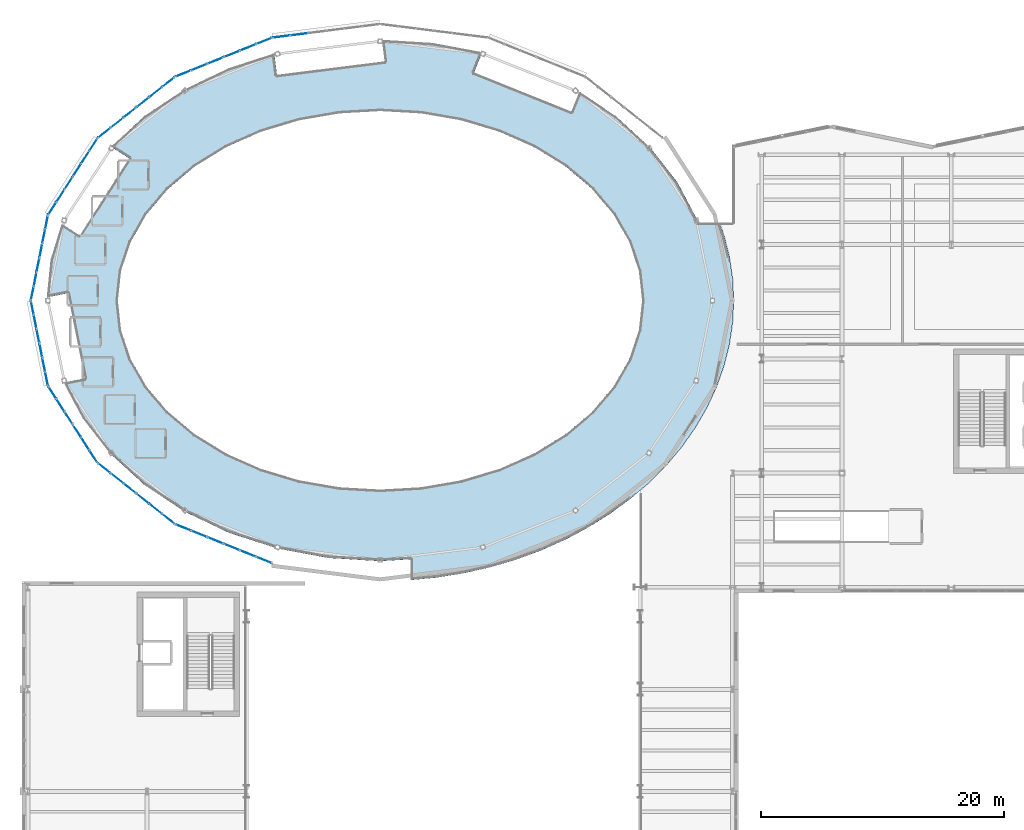
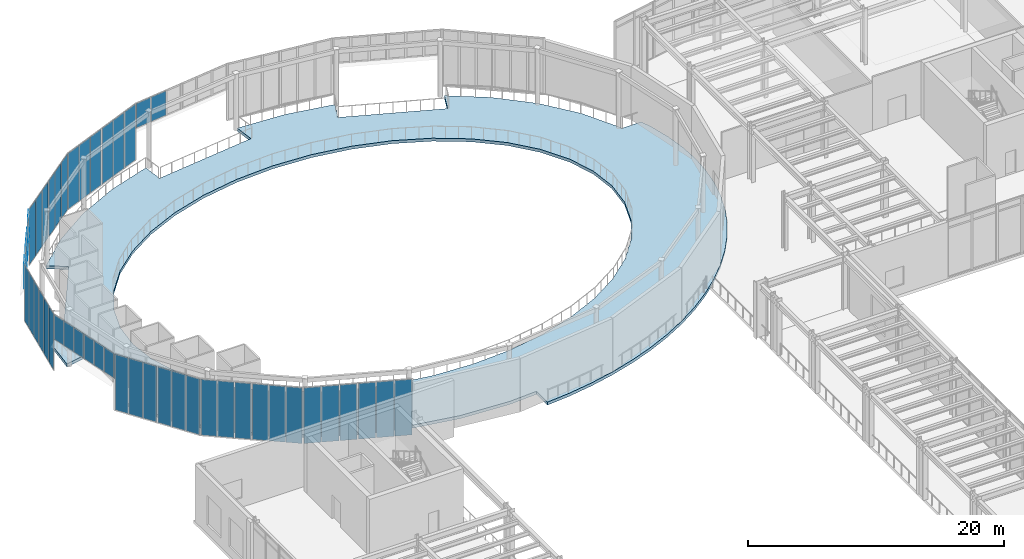
# One storey, part 69 of 98: 50 plates, 1 slab, 17 elements without a shape of their own.
"""IFC4 building model written with IfcOpenShell, lengths in metres."""

from ifc_helpers import new_model, si_unit, direction, frame, origin, origin_2d, place, context, subcontext, project, spatial, polyline, rectangle, outline, extrude, material, layer, layer_set, type_object, element, aggregate, save


model = new_model("IFC4")

# Units and contexts
model_context = context("Model", 3, precision=1e-05, world=origin(), true_north=direction((0.0, 1.0)))
body_context = subcontext(model_context, "Body", "Model", "MODEL_VIEW")
ifc_project = project(units=[si_unit("LENGTHUNIT", "METRE"), si_unit("AREAUNIT", "SQUARE_METRE"), si_unit("VOLUMEUNIT", "CUBIC_METRE"), si_unit("PLANEANGLEUNIT", "RADIAN"), si_unit("MASSUNIT", "GRAM", prefix="KILO")], contexts=[model_context])

# Site, building, storey
site_placement = place(None, origin())
site = spatial("IfcSite", under=ifc_project, at=site_placement, CompositionType="ELEMENT")
building_placement = place(site_placement, origin())
building = spatial("IfcBuilding", under=site, at=building_placement, Name="Sollismere Congress Hotel", CompositionType="ELEMENT")
storey_placement = place(building_placement, frame((0.0, 0.0, 5.39990234375)))
storey = spatial("IfcBuildingStorey", under=building, at=storey_placement, Name="L01", CompositionType="ELEMENT", Elevation=5.39990234375)

# Curtain wall, plates
ifc_material_1 = material(Name="Anodized Bronze Curtain Wall & Low-E Triple Glazing", Category="glass")
ifc_layer_1 = layer(ifc_material_1, 0.199951171875, Name="Anodized Bronze Curtain Wall & Low-E Triple Glazing")
ifc_layer_set_1 = layer_set([ifc_layer_1], Name="Anodized Bronze Curtain Wall & Low-E Triple Glazing")
curtain_wall_type = type_object("IfcCurtainWallType", Name="CW-GLZ36", PredefinedType="USERDEFINED", material=ifc_layer_set_1)
curtain_wall_1_placement = place(storey_placement, origin())
curtain_wall_1 = element("IfcCurtainWall", 1, at=curtain_wall_1_placement, inside=storey, type_object=curtain_wall_type, Name="Unitised curtain wall CW-L01-018", ObjectType="UNITISED CURTAIN WALL", PredefinedType="USERDEFINED")
ifc_material_2 = material(Name="Blue-Tinted Solar-Control Low-E Vision Glass", Category="glass")
ifc_layer_2 = layer(ifc_material_2, 0.035888671875, Name="Blue-Tinted Solar-Control Low-E Vision Glass")
ifc_layer_set_2 = layer_set([ifc_layer_2], Name="Blue-Tinted Solar-Control Low-E Vision Glass")
plate_type = type_object("IfcPlateType", Name="PL-CWGLZ", PredefinedType="CURTAIN_PANEL", material=ifc_layer_set_2)
plate_1_placement = place(storey_placement, frame((22.3369140625, 112.31494140625, 3.04296875), z_axis=(0.0, 0.0, 1.0), x_axis=(-0.992236726166, -0.124363496441, 0.0)))
plate_1 = element("IfcPlate", 2, at=plate_1_placement, type_object=plate_type, Name="CWL-CW-L01-018-VP02", PredefinedType="CURTAIN_PANEL", context=body_context, shape_type="SweptSolid", body=[
    extrude(rectangle(XDim=1.44140625, YDim=0.035888671875, at=origin_2d()), origin(), (0.0, 0.0, 1.0), 2.323974609375),
])
plate_2_placement = place(storey_placement, frame((20.875, 112.131591796875, 3.04296875), z_axis=(0.0, 0.0, 1.0), x_axis=(-0.992236726166, -0.124363496441, 0.0)))
plate_2 = element("IfcPlate", 3, at=plate_2_placement, type_object=plate_type, Name="CWL-CW-L01-018-VP03", PredefinedType="CURTAIN_PANEL", context=body_context, shape_type="SweptSolid", body=[
    extrude(rectangle(XDim=1.4033203125, YDim=0.035888671875, at=origin_2d()), origin(), (0.0, 0.0, 1.0), 2.323974609375),
])
aggregate(curtain_wall_1, [plate_1, plate_2])

curtain_wall_2_placement = place(storey_placement, origin())
curtain_wall_2 = element("IfcCurtainWall", 4, at=curtain_wall_2_placement, inside=storey, type_object=curtain_wall_type, Name="Unitised curtain wall CW-L01-023", ObjectType="UNITISED CURTAIN WALL", PredefinedType="USERDEFINED")
plate_3_placement = place(storey_placement, frame((19.430419921875, 111.760009765625, 0.05322265625), z_axis=(0.0, 0.0, 1.0), x_axis=(-0.927451680013, -0.373943018709, 0.0)))
plate_3 = element("IfcPlate", 5, at=plate_3_placement, type_object=plate_type, Name="CWL-CW-L01-023-VP01", PredefinedType="CURTAIN_PANEL", context=body_context, shape_type="SweptSolid", body=[
    extrude(rectangle(XDim=1.351318359375, YDim=0.035888671875, at=origin_2d()), origin(), (0.0, 0.0, 1.0), 5.31396484375),
])
plate_4_placement = place(storey_placement, frame((18.112060546875, 111.228759765625, 0.05322265625), z_axis=(0.0, 0.0, 1.0), x_axis=(-0.927451680013, -0.373943018709, 0.0)))
plate_4 = element("IfcPlate", 6, at=plate_4_placement, type_object=plate_type, Name="CWL-CW-L01-023-VP02", PredefinedType="CURTAIN_PANEL", context=body_context, shape_type="SweptSolid", body=[
    extrude(rectangle(XDim=1.389404296875, YDim=0.035888671875, at=origin_2d()), origin(), (0.0, 0.0, 1.0), 5.31396484375),
])
plate_5_placement = place(storey_placement, frame((16.7939453125, 110.697265625, 0.05322265625), z_axis=(0.0, 0.0, 1.0), x_axis=(-0.927451680013, -0.373943018709, 0.0)))
plate_5 = element("IfcPlate", 7, at=plate_5_placement, type_object=plate_type, Name="CWL-CW-L01-023-VP03", PredefinedType="CURTAIN_PANEL", context=body_context, shape_type="SweptSolid", body=[
    extrude(rectangle(XDim=1.351318359375, YDim=0.035888671875, at=origin_2d()), origin(), (0.0, 0.0, 1.0), 5.31396484375),
])
aggregate(curtain_wall_2, [plate_3, plate_4, plate_5])

curtain_wall_3_placement = place(storey_placement, origin())
curtain_wall_3 = element("IfcCurtainWall", 8, at=curtain_wall_3_placement, inside=storey, type_object=curtain_wall_type, Name="Unitised curtain wall CW-L01-024", ObjectType="UNITISED CURTAIN WALL", PredefinedType="USERDEFINED")
plate_6_placement = place(storey_placement, frame((15.423095703125, 110.144287109375, 0.05322265625), z_axis=(0.0, 0.0, 1.0), x_axis=(-0.927451680013, -0.373943018709, 0.0)))
plate_6 = element("IfcPlate", 9, at=plate_6_placement, type_object=plate_type, Name="CWL-CW-L01-024-VP01", PredefinedType="CURTAIN_PANEL", context=body_context, shape_type="SweptSolid", body=[
    extrude(rectangle(XDim=1.351318359375, YDim=0.035888671875, at=origin_2d()), origin(), (0.0, 0.0, 1.0), 5.31396484375),
])
plate_7_placement = place(storey_placement, frame((14.104736328125, 109.61279296875, 0.05322265625), z_axis=(0.0, 0.0, 1.0), x_axis=(-0.927451680013, -0.373943018709, 0.0)))
plate_7 = element("IfcPlate", 10, at=plate_7_placement, type_object=plate_type, Name="CWL-CW-L01-024-VP02", PredefinedType="CURTAIN_PANEL", context=body_context, shape_type="SweptSolid", body=[
    extrude(rectangle(XDim=1.389404296875, YDim=0.035888671875, at=origin_2d()), origin(), (0.0, 0.0, 1.0), 5.31396484375),
])
plate_8_placement = place(storey_placement, frame((12.78662109375, 109.08154296875, 0.05322265625), z_axis=(0.0, 0.0, 1.0), x_axis=(-0.927451680013, -0.373943018709, 0.0)))
plate_8 = element("IfcPlate", 11, at=plate_8_placement, type_object=plate_type, Name="CWL-CW-L01-024-VP03", PredefinedType="CURTAIN_PANEL", context=body_context, shape_type="SweptSolid", body=[
    extrude(rectangle(XDim=1.351318359375, YDim=0.035888671875, at=origin_2d()), origin(), (0.0, 0.0, 1.0), 5.31396484375),
])
aggregate(curtain_wall_3, [plate_6, plate_7, plate_8])

curtain_wall_4_placement = place(storey_placement, origin())
curtain_wall_4 = element("IfcCurtainWall", 12, at=curtain_wall_4_placement, inside=storey, type_object=curtain_wall_type, Name="Unitised curtain wall CW-L01-029", ObjectType="UNITISED CURTAIN WALL", PredefinedType="USERDEFINED")
plate_9_placement = place(storey_placement, frame((11.556396484375, 108.373779296875, 0.05322265625), z_axis=(0.0, 0.0, 1.0), x_axis=(-0.784181063891, -0.620532077362, 0.0)))
plate_9 = element("IfcPlate", 13, at=plate_9_placement, type_object=plate_type, Name="CWL-CW-L01-029-VP01", PredefinedType="CURTAIN_PANEL", context=body_context, shape_type="SweptSolid", body=[
    extrude(rectangle(XDim=1.2626953125, YDim=0.035888671875, at=origin_2d()), origin(), (0.0, 0.0, 1.0), 5.31396484375),
])
plate_10_placement = place(storey_placement, frame((10.510986328125, 107.546875, 0.05322265625), z_axis=(0.0, 0.0, 1.0), x_axis=(-0.784181063891, -0.620532077362, 0.0)))
plate_10 = element("IfcPlate", 14, at=plate_10_placement, type_object=plate_type, Name="CWL-CW-L01-029-VP02", PredefinedType="CURTAIN_PANEL", context=body_context, shape_type="SweptSolid", body=[
    extrude(rectangle(XDim=1.30078125, YDim=0.035888671875, at=origin_2d()), origin(), (0.0, 0.0, 1.0), 5.31396484375),
])
plate_11_placement = place(storey_placement, frame((9.4658203125, 106.7197265625, 0.05322265625), z_axis=(0.0, 0.0, 1.0), x_axis=(-0.784181063891, -0.620532077362, 0.0)))
plate_11 = element("IfcPlate", 15, at=plate_11_placement, type_object=plate_type, Name="CWL-CW-L01-029-VP03", PredefinedType="CURTAIN_PANEL", context=body_context, shape_type="SweptSolid", body=[
    extrude(rectangle(XDim=1.2626953125, YDim=0.035888671875, at=origin_2d()), origin(), (0.0, 0.0, 1.0), 5.31396484375),
])
aggregate(curtain_wall_4, [plate_9, plate_10, plate_11])

curtain_wall_5_placement = place(storey_placement, origin())
curtain_wall_5 = element("IfcCurtainWall", 16, at=curtain_wall_5_placement, inside=storey, type_object=curtain_wall_type, Name="Unitised curtain wall CW-L01-030", ObjectType="UNITISED CURTAIN WALL", PredefinedType="USERDEFINED")
plate_12_placement = place(storey_placement, frame((8.376220703125, 105.857421875, 0.05322265625), z_axis=(0.0, 0.0, 1.0), x_axis=(-0.784181063891, -0.620532077362, 0.0)))
plate_12 = element("IfcPlate", 17, at=plate_12_placement, type_object=plate_type, Name="CWL-CW-L01-030-VP01", PredefinedType="CURTAIN_PANEL", context=body_context, shape_type="SweptSolid", body=[
    extrude(rectangle(XDim=1.2626953125, YDim=0.035888671875, at=origin_2d()), origin(), (0.0, 0.0, 1.0), 5.31396484375),
])
plate_13_placement = place(storey_placement, frame((7.330810546875, 105.0302734375, 0.05322265625), z_axis=(0.0, 0.0, 1.0), x_axis=(-0.784181063891, -0.620532077362, 0.0)))
plate_13 = element("IfcPlate", 18, at=plate_13_placement, type_object=plate_type, Name="CWL-CW-L01-030-VP02", PredefinedType="CURTAIN_PANEL", context=body_context, shape_type="SweptSolid", body=[
    extrude(rectangle(XDim=1.30078125, YDim=0.035888671875, at=origin_2d()), origin(), (0.0, 0.0, 1.0), 5.31396484375),
])
plate_14_placement = place(storey_placement, frame((6.28564453125, 104.203369140625, 0.05322265625), z_axis=(0.0, 0.0, 1.0), x_axis=(-0.784181063891, -0.620532077362, 0.0)))
plate_14 = element("IfcPlate", 19, at=plate_14_placement, type_object=plate_type, Name="CWL-CW-L01-030-VP03", PredefinedType="CURTAIN_PANEL", context=body_context, shape_type="SweptSolid", body=[
    extrude(rectangle(XDim=1.2626953125, YDim=0.035888671875, at=origin_2d()), origin(), (0.0, 0.0, 1.0), 5.31396484375),
])
aggregate(curtain_wall_5, [plate_12, plate_13, plate_14])

curtain_wall_6_placement = place(storey_placement, origin())
curtain_wall_6 = element("IfcCurtainWall", 20, at=curtain_wall_6_placement, inside=storey, type_object=curtain_wall_type, Name="Unitised curtain wall CW-L01-033", ObjectType="UNITISED CURTAIN WALL", PredefinedType="USERDEFINED")
plate_15_placement = place(storey_placement, frame((5.39013671875, 103.2275390625, 3.04296875), z_axis=(0.0, 0.0, 1.0), x_axis=(-0.541385415951, -0.840774542547, 0.0)))
plate_15 = element("IfcPlate", 21, at=plate_15_placement, type_object=plate_type, Name="CWL-CW-L01-033-VP01", PredefinedType="CURTAIN_PANEL", context=body_context, shape_type="SweptSolid", body=[
    extrude(rectangle(XDim=1.168212890625, YDim=0.035888671875, at=origin_2d()), origin(), (0.0, 0.0, 1.0), 2.323974609375),
])
plate_16_placement = place(storey_placement, frame((4.719970703125, 102.1865234375, 3.04296875), z_axis=(0.0, 0.0, 1.0), x_axis=(-0.541385415951, -0.840774542547, 0.0)))
plate_16 = element("IfcPlate", 22, at=plate_16_placement, type_object=plate_type, Name="CWL-CW-L01-033-VP02", PredefinedType="CURTAIN_PANEL", context=body_context, shape_type="SweptSolid", body=[
    extrude(rectangle(XDim=1.206298828125, YDim=0.035888671875, at=origin_2d()), origin(), (0.0, 0.0, 1.0), 2.323974609375),
])
plate_17_placement = place(storey_placement, frame((4.049560546875, 101.1455078125, 3.04296875), z_axis=(0.0, 0.0, 1.0), x_axis=(-0.541385415951, -0.840774542547, 0.0)))
plate_17 = element("IfcPlate", 23, at=plate_17_placement, type_object=plate_type, Name="CWL-CW-L01-033-VP03", PredefinedType="CURTAIN_PANEL", context=body_context, shape_type="SweptSolid", body=[
    extrude(rectangle(XDim=1.168212890625, YDim=0.035888671875, at=origin_2d()), origin(), (0.0, 0.0, 1.0), 2.323974609375),
])
aggregate(curtain_wall_6, [plate_15, plate_16, plate_17])

curtain_wall_7_placement = place(storey_placement, origin())
curtain_wall_7 = element("IfcCurtainWall", 24, at=curtain_wall_7_placement, inside=storey, type_object=curtain_wall_type, Name="Unitised curtain wall CW-L01-034", ObjectType="UNITISED CURTAIN WALL", PredefinedType="USERDEFINED")
plate_18_placement = place(storey_placement, frame((3.348388671875, 100.056640625, 3.04296875), z_axis=(0.0, 0.0, 1.0), x_axis=(-0.541385415951, -0.840774542547, 0.0)))
plate_18 = element("IfcPlate", 25, at=plate_18_placement, type_object=plate_type, Name="CWL-CW-L01-034-VP01", PredefinedType="CURTAIN_PANEL", context=body_context, shape_type="SweptSolid", body=[
    extrude(rectangle(XDim=1.168212890625, YDim=0.035888671875, at=origin_2d()), origin(), (0.0, 0.0, 1.0), 2.323974609375),
])
plate_19_placement = place(storey_placement, frame((2.677978515625, 99.015625, 3.04296875), z_axis=(0.0, 0.0, 1.0), x_axis=(-0.541385415951, -0.840774542547, 0.0)))
plate_19 = element("IfcPlate", 26, at=plate_19_placement, type_object=plate_type, Name="CWL-CW-L01-034-VP02", PredefinedType="CURTAIN_PANEL", context=body_context, shape_type="SweptSolid", body=[
    extrude(rectangle(XDim=1.206298828125, YDim=0.035888671875, at=origin_2d()), origin(), (0.0, 0.0, 1.0), 2.323974609375),
])
plate_20_placement = place(storey_placement, frame((2.0078125, 97.974609375, 3.04296875), z_axis=(0.0, 0.0, 1.0), x_axis=(-0.541385415951, -0.840774542547, 0.0)))
plate_20 = element("IfcPlate", 27, at=plate_20_placement, type_object=plate_type, Name="CWL-CW-L01-034-VP03", PredefinedType="CURTAIN_PANEL", context=body_context, shape_type="SweptSolid", body=[
    extrude(rectangle(XDim=1.168212890625, YDim=0.035888671875, at=origin_2d()), origin(), (0.0, 0.0, 1.0), 2.323974609375),
])
aggregate(curtain_wall_7, [plate_18, plate_19, plate_20])

curtain_wall_8_placement = place(storey_placement, origin())
curtain_wall_8 = element("IfcCurtainWall", 28, at=curtain_wall_8_placement, inside=storey, type_object=curtain_wall_type, Name="Unitised curtain wall CW-L01-039", ObjectType="UNITISED CURTAIN WALL", PredefinedType="USERDEFINED")
plate_21_placement = place(storey_placement, frame((1.5361328125, 96.82568359375, 0.05322265625), z_axis=(0.0, 0.0, 1.0), x_axis=(-0.196254203749, -0.98055305186, 0.0)))
plate_21 = element("IfcPlate", 29, at=plate_21_placement, type_object=plate_type, Name="CWL-CW-L01-039-VP01", PredefinedType="CURTAIN_PANEL", context=body_context, shape_type="SweptSolid", body=[
    extrude(rectangle(XDim=1.10595703125, YDim=0.035888671875, at=origin_2d()), origin(), (0.0, 0.0, 1.0), 5.31396484375),
])
plate_22_placement = place(storey_placement, frame((1.305419921875, 95.672607421875, 0.05322265625), z_axis=(0.0, 0.0, 1.0), x_axis=(-0.196254203749, -0.98055305186, 0.0)))
plate_22 = element("IfcPlate", 30, at=plate_22_placement, type_object=plate_type, Name="CWL-CW-L01-039-VP02", PredefinedType="CURTAIN_PANEL", context=body_context, shape_type="SweptSolid", body=[
    extrude(rectangle(XDim=1.143798828125, YDim=0.035888671875, at=origin_2d()), origin(), (0.0, 0.0, 1.0), 5.31396484375),
])
plate_23_placement = place(storey_placement, frame((1.074462890625, 94.51953125, 0.05322265625), z_axis=(0.0, 0.0, 1.0), x_axis=(-0.196254203749, -0.98055305186, 0.0)))
plate_23 = element("IfcPlate", 31, at=plate_23_placement, type_object=plate_type, Name="CWL-CW-L01-039-VP03", PredefinedType="CURTAIN_PANEL", context=body_context, shape_type="SweptSolid", body=[
    extrude(rectangle(XDim=1.10595703125, YDim=0.035888671875, at=origin_2d()), origin(), (0.0, 0.0, 1.0), 5.31396484375),
])
aggregate(curtain_wall_8, [plate_21, plate_22, plate_23])

curtain_wall_9_placement = place(storey_placement, origin())
curtain_wall_9 = element("IfcCurtainWall", 32, at=curtain_wall_9_placement, inside=storey, type_object=curtain_wall_type, Name="Unitised curtain wall CW-L01-040", ObjectType="UNITISED CURTAIN WALL", PredefinedType="USERDEFINED")
plate_24_placement = place(storey_placement, frame((0.83251953125, 93.310546875, 0.05322265625), z_axis=(0.0, 0.0, 1.0), x_axis=(-0.196254203749, -0.98055305186, 0.0)))
plate_24 = element("IfcPlate", 33, at=plate_24_placement, type_object=plate_type, Name="CWL-CW-L01-040-VP01", PredefinedType="CURTAIN_PANEL", context=body_context, shape_type="SweptSolid", body=[
    extrude(rectangle(XDim=1.10595703125, YDim=0.035888671875, at=origin_2d()), origin(), (0.0, 0.0, 1.0), 5.31396484375),
])
plate_25_placement = place(storey_placement, frame((0.601806640625, 92.157470703125, 0.05322265625), z_axis=(0.0, 0.0, 1.0), x_axis=(-0.196254203749, -0.98055305186, 0.0)))
plate_25 = element("IfcPlate", 34, at=plate_25_placement, type_object=plate_type, Name="CWL-CW-L01-040-VP02", PredefinedType="CURTAIN_PANEL", context=body_context, shape_type="SweptSolid", body=[
    extrude(rectangle(XDim=1.143798828125, YDim=0.035888671875, at=origin_2d()), origin(), (0.0, 0.0, 1.0), 5.31396484375),
])
plate_26_placement = place(storey_placement, frame((0.37109375, 91.00439453125, 0.05322265625), z_axis=(0.0, 0.0, 1.0), x_axis=(-0.196254203749, -0.98055305186, 0.0)))
plate_26 = element("IfcPlate", 35, at=plate_26_placement, type_object=plate_type, Name="CWL-CW-L01-040-VP03", PredefinedType="CURTAIN_PANEL", context=body_context, shape_type="SweptSolid", body=[
    extrude(rectangle(XDim=1.10595703125, YDim=0.035888671875, at=origin_2d()), origin(), (0.0, 0.0, 1.0), 5.31396484375),
])
aggregate(curtain_wall_9, [plate_24, plate_25, plate_26])

curtain_wall_10_placement = place(storey_placement, origin())
curtain_wall_10 = element("IfcCurtainWall", 36, at=curtain_wall_10_placement, inside=storey, type_object=curtain_wall_type, Name="Unitised curtain wall CW-L01-043", ObjectType="UNITISED CURTAIN WALL", PredefinedType="USERDEFINED")
plate_27_placement = place(storey_placement, frame((0.37109375, 89.79541015625, 3.04296875), z_axis=(0.0, 0.0, 1.0), x_axis=(0.196254203749, -0.98055305186, 0.0)))
plate_27 = element("IfcPlate", 37, at=plate_27_placement, type_object=plate_type, Name="CWL-CW-L01-043-VP01", PredefinedType="CURTAIN_PANEL", context=body_context, shape_type="SweptSolid", body=[
    extrude(rectangle(XDim=1.10595703125, YDim=0.035888671875, at=origin_2d()), origin(), (0.0, 0.0, 1.0), 2.323974609375),
])
plate_28_placement = place(storey_placement, frame((0.601806640625, 88.642578125, 3.04296875), z_axis=(0.0, 0.0, 1.0), x_axis=(0.196254203749, -0.98055305186, 0.0)))
plate_28 = element("IfcPlate", 38, at=plate_28_placement, type_object=plate_type, Name="CWL-CW-L01-043-VP02", PredefinedType="CURTAIN_PANEL", context=body_context, shape_type="SweptSolid", body=[
    extrude(rectangle(XDim=1.143798828125, YDim=0.035888671875, at=origin_2d()), origin(), (0.0, 0.0, 1.0), 2.323974609375),
])
plate_29_placement = place(storey_placement, frame((0.83251953125, 87.489501953125, 3.04296875), z_axis=(0.0, 0.0, 1.0), x_axis=(0.196254203749, -0.98055305186, 0.0)))
plate_29 = element("IfcPlate", 39, at=plate_29_placement, type_object=plate_type, Name="CWL-CW-L01-043-VP03", PredefinedType="CURTAIN_PANEL", context=body_context, shape_type="SweptSolid", body=[
    extrude(rectangle(XDim=1.10595703125, YDim=0.035888671875, at=origin_2d()), origin(), (0.0, 0.0, 1.0), 2.323974609375),
])
aggregate(curtain_wall_10, [plate_27, plate_28, plate_29])

curtain_wall_11_placement = place(storey_placement, origin())
curtain_wall_11 = element("IfcCurtainWall", 40, at=curtain_wall_11_placement, inside=storey, type_object=curtain_wall_type, Name="Unitised curtain wall CW-L01-044", ObjectType="UNITISED CURTAIN WALL", PredefinedType="USERDEFINED")
plate_30_placement = place(storey_placement, frame((1.074462890625, 86.280517578125, 3.04296875), z_axis=(0.0, 0.0, 1.0), x_axis=(0.196254203749, -0.98055305186, 0.0)))
plate_30 = element("IfcPlate", 41, at=plate_30_placement, type_object=plate_type, Name="CWL-CW-L01-044-VP01", PredefinedType="CURTAIN_PANEL", context=body_context, shape_type="SweptSolid", body=[
    extrude(rectangle(XDim=1.10595703125, YDim=0.035888671875, at=origin_2d()), origin(), (0.0, 0.0, 1.0), 2.323974609375),
])
plate_31_placement = place(storey_placement, frame((1.305419921875, 85.12744140625, 3.04296875), z_axis=(0.0, 0.0, 1.0), x_axis=(0.196254203749, -0.98055305186, 0.0)))
plate_31 = element("IfcPlate", 42, at=plate_31_placement, type_object=plate_type, Name="CWL-CW-L01-044-VP02", PredefinedType="CURTAIN_PANEL", context=body_context, shape_type="SweptSolid", body=[
    extrude(rectangle(XDim=1.143798828125, YDim=0.035888671875, at=origin_2d()), origin(), (0.0, 0.0, 1.0), 2.323974609375),
])
plate_32_placement = place(storey_placement, frame((1.5361328125, 83.974365234375, 3.04296875), z_axis=(0.0, 0.0, 1.0), x_axis=(0.196254203749, -0.98055305186, 0.0)))
plate_32 = element("IfcPlate", 43, at=plate_32_placement, type_object=plate_type, Name="CWL-CW-L01-044-VP03", PredefinedType="CURTAIN_PANEL", context=body_context, shape_type="SweptSolid", body=[
    extrude(rectangle(XDim=1.10595703125, YDim=0.035888671875, at=origin_2d()), origin(), (0.0, 0.0, 1.0), 2.323974609375),
])
aggregate(curtain_wall_11, [plate_30, plate_31, plate_32])

curtain_wall_12_placement = place(storey_placement, origin())
curtain_wall_12 = element("IfcCurtainWall", 44, at=curtain_wall_12_placement, inside=storey, type_object=curtain_wall_type, Name="Unitised curtain wall CW-L01-049", ObjectType="UNITISED CURTAIN WALL", PredefinedType="USERDEFINED")
plate_33_placement = place(storey_placement, frame((2.0078125, 82.825439453125, 0.05322265625), z_axis=(0.0, 0.0, 1.0), x_axis=(0.541385415951, -0.840774542547, 0.0)))
plate_33 = element("IfcPlate", 45, at=plate_33_placement, type_object=plate_type, Name="CWL-CW-L01-049-VP01", PredefinedType="CURTAIN_PANEL", context=body_context, shape_type="SweptSolid", body=[
    extrude(rectangle(XDim=1.168212890625, YDim=0.035888671875, at=origin_2d()), origin(), (0.0, 0.0, 1.0), 5.31396484375),
])
plate_34_placement = place(storey_placement, frame((2.677978515625, 81.784423828125, 0.05322265625), z_axis=(0.0, 0.0, 1.0), x_axis=(0.541385415951, -0.840774542547, 0.0)))
plate_34 = element("IfcPlate", 46, at=plate_34_placement, type_object=plate_type, Name="CWL-CW-L01-049-VP02", PredefinedType="CURTAIN_PANEL", context=body_context, shape_type="SweptSolid", body=[
    extrude(rectangle(XDim=1.206298828125, YDim=0.035888671875, at=origin_2d()), origin(), (0.0, 0.0, 1.0), 5.31396484375),
])
plate_35_placement = place(storey_placement, frame((3.348388671875, 80.743408203125, 0.05322265625), z_axis=(0.0, 0.0, 1.0), x_axis=(0.541385415951, -0.840774542547, 0.0)))
plate_35 = element("IfcPlate", 47, at=plate_35_placement, type_object=plate_type, Name="CWL-CW-L01-049-VP03", PredefinedType="CURTAIN_PANEL", context=body_context, shape_type="SweptSolid", body=[
    extrude(rectangle(XDim=1.168212890625, YDim=0.035888671875, at=origin_2d()), origin(), (0.0, 0.0, 1.0), 5.31396484375),
])
aggregate(curtain_wall_12, [plate_33, plate_34, plate_35])

curtain_wall_13_placement = place(storey_placement, origin())
curtain_wall_13 = element("IfcCurtainWall", 48, at=curtain_wall_13_placement, inside=storey, type_object=curtain_wall_type, Name="Unitised curtain wall CW-L01-050", ObjectType="UNITISED CURTAIN WALL", PredefinedType="USERDEFINED")
plate_36_placement = place(storey_placement, frame((4.049560546875, 79.654296875, 0.05322265625), z_axis=(0.0, 0.0, 1.0), x_axis=(0.541385415951, -0.840774542547, 0.0)))
plate_36 = element("IfcPlate", 49, at=plate_36_placement, type_object=plate_type, Name="CWL-CW-L01-050-VP01", PredefinedType="CURTAIN_PANEL", context=body_context, shape_type="SweptSolid", body=[
    extrude(rectangle(XDim=1.168212890625, YDim=0.035888671875, at=origin_2d()), origin(), (0.0, 0.0, 1.0), 5.31396484375),
])
plate_37_placement = place(storey_placement, frame((4.719970703125, 78.61328125, 0.05322265625), z_axis=(0.0, 0.0, 1.0), x_axis=(0.541385415951, -0.840774542547, 0.0)))
plate_37 = element("IfcPlate", 50, at=plate_37_placement, type_object=plate_type, Name="CWL-CW-L01-050-VP02", PredefinedType="CURTAIN_PANEL", context=body_context, shape_type="SweptSolid", body=[
    extrude(rectangle(XDim=1.206298828125, YDim=0.035888671875, at=origin_2d()), origin(), (0.0, 0.0, 1.0), 5.31396484375),
])
plate_38_placement = place(storey_placement, frame((5.39013671875, 77.572509765625, 0.05322265625), z_axis=(0.0, 0.0, 1.0), x_axis=(0.541385415951, -0.840774542547, 0.0)))
plate_38 = element("IfcPlate", 51, at=plate_38_placement, type_object=plate_type, Name="CWL-CW-L01-050-VP03", PredefinedType="CURTAIN_PANEL", context=body_context, shape_type="SweptSolid", body=[
    extrude(rectangle(XDim=1.168212890625, YDim=0.035888671875, at=origin_2d()), origin(), (0.0, 0.0, 1.0), 5.31396484375),
])
aggregate(curtain_wall_13, [plate_36, plate_37, plate_38])

curtain_wall_14_placement = place(storey_placement, origin())
curtain_wall_14 = element("IfcCurtainWall", 52, at=curtain_wall_14_placement, inside=storey, type_object=curtain_wall_type, Name="Unitised curtain wall CW-L01-055", ObjectType="UNITISED CURTAIN WALL", PredefinedType="USERDEFINED")
plate_39_placement = place(storey_placement, frame((6.28564453125, 76.5966796875, 0.05322265625), z_axis=(0.0, 0.0, 1.0), x_axis=(0.784181063891, -0.620532077362, 0.0)))
plate_39 = element("IfcPlate", 53, at=plate_39_placement, type_object=plate_type, Name="CWL-CW-L01-055-VP01", PredefinedType="CURTAIN_PANEL", context=body_context, shape_type="SweptSolid", body=[
    extrude(rectangle(XDim=1.2626953125, YDim=0.035888671875, at=origin_2d()), origin(), (0.0, 0.0, 1.0), 5.31396484375),
])
plate_40_placement = place(storey_placement, frame((7.330810546875, 75.769775390625, 0.05322265625), z_axis=(0.0, 0.0, 1.0), x_axis=(0.784181063891, -0.620532077362, 0.0)))
plate_40 = element("IfcPlate", 54, at=plate_40_placement, type_object=plate_type, Name="CWL-CW-L01-055-VP02", PredefinedType="CURTAIN_PANEL", context=body_context, shape_type="SweptSolid", body=[
    extrude(rectangle(XDim=1.30078125, YDim=0.035888671875, at=origin_2d()), origin(), (0.0, 0.0, 1.0), 5.31396484375),
])
plate_41_placement = place(storey_placement, frame((8.376220703125, 74.942626953125, 0.05322265625), z_axis=(0.0, 0.0, 1.0), x_axis=(0.784181063891, -0.620532077362, 0.0)))
plate_41 = element("IfcPlate", 55, at=plate_41_placement, type_object=plate_type, Name="CWL-CW-L01-055-VP03", PredefinedType="CURTAIN_PANEL", context=body_context, shape_type="SweptSolid", body=[
    extrude(rectangle(XDim=1.2626953125, YDim=0.035888671875, at=origin_2d()), origin(), (0.0, 0.0, 1.0), 5.31396484375),
])
aggregate(curtain_wall_14, [plate_39, plate_40, plate_41])

curtain_wall_15_placement = place(storey_placement, origin())
curtain_wall_15 = element("IfcCurtainWall", 56, at=curtain_wall_15_placement, inside=storey, type_object=curtain_wall_type, Name="Unitised curtain wall CW-L01-056", ObjectType="UNITISED CURTAIN WALL", PredefinedType="USERDEFINED")
plate_42_placement = place(storey_placement, frame((9.4658203125, 74.080078125, 0.05322265625), z_axis=(0.0, 0.0, 1.0), x_axis=(0.784181063891, -0.620532077362, 0.0)))
plate_42 = element("IfcPlate", 57, at=plate_42_placement, type_object=plate_type, Name="CWL-CW-L01-056-VP01", PredefinedType="CURTAIN_PANEL", context=body_context, shape_type="SweptSolid", body=[
    extrude(rectangle(XDim=1.2626953125, YDim=0.035888671875, at=origin_2d()), origin(), (0.0, 0.0, 1.0), 5.31396484375),
])
plate_43_placement = place(storey_placement, frame((10.510986328125, 73.253173828125, 0.05322265625), z_axis=(0.0, 0.0, 1.0), x_axis=(0.784181063891, -0.620532077362, 0.0)))
plate_43 = element("IfcPlate", 58, at=plate_43_placement, type_object=plate_type, Name="CWL-CW-L01-056-VP02", PredefinedType="CURTAIN_PANEL", context=body_context, shape_type="SweptSolid", body=[
    extrude(rectangle(XDim=1.30078125, YDim=0.035888671875, at=origin_2d()), origin(), (0.0, 0.0, 1.0), 5.31396484375),
])
plate_44_placement = place(storey_placement, frame((11.556396484375, 72.426025390625, 0.05322265625), z_axis=(0.0, 0.0, 1.0), x_axis=(0.784181063891, -0.620532077362, 0.0)))
plate_44 = element("IfcPlate", 59, at=plate_44_placement, type_object=plate_type, Name="CWL-CW-L01-056-VP03", PredefinedType="CURTAIN_PANEL", context=body_context, shape_type="SweptSolid", body=[
    extrude(rectangle(XDim=1.2626953125, YDim=0.035888671875, at=origin_2d()), origin(), (0.0, 0.0, 1.0), 5.31396484375),
])
aggregate(curtain_wall_15, [plate_42, plate_43, plate_44])

curtain_wall_16_placement = place(storey_placement, origin())
curtain_wall_16 = element("IfcCurtainWall", 60, at=curtain_wall_16_placement, inside=storey, type_object=curtain_wall_type, Name="Unitised curtain wall CW-L01-061", ObjectType="UNITISED CURTAIN WALL", PredefinedType="USERDEFINED")
plate_45_placement = place(storey_placement, frame((12.78662109375, 71.718505859375, 0.05322265625), z_axis=(0.0, 0.0, 1.0), x_axis=(0.927451680013, -0.373943018709, 0.0)))
plate_45 = element("IfcPlate", 61, at=plate_45_placement, type_object=plate_type, Name="CWL-CW-L01-061-VP01", PredefinedType="CURTAIN_PANEL", context=body_context, shape_type="SweptSolid", body=[
    extrude(rectangle(XDim=1.351318359375, YDim=0.035888671875, at=origin_2d()), origin(), (0.0, 0.0, 1.0), 5.31396484375),
])
plate_46_placement = place(storey_placement, frame((14.104736328125, 71.18701171875, 0.05322265625), z_axis=(0.0, 0.0, 1.0), x_axis=(0.927451680013, -0.373943018709, 0.0)))
plate_46 = element("IfcPlate", 62, at=plate_46_placement, type_object=plate_type, Name="CWL-CW-L01-061-VP02", PredefinedType="CURTAIN_PANEL", context=body_context, shape_type="SweptSolid", body=[
    extrude(rectangle(XDim=1.389404296875, YDim=0.035888671875, at=origin_2d()), origin(), (0.0, 0.0, 1.0), 5.31396484375),
])
plate_47_placement = place(storey_placement, frame((15.423095703125, 70.655517578125, 0.05322265625), z_axis=(0.0, 0.0, 1.0), x_axis=(0.927451680013, -0.373943018709, 0.0)))
plate_47 = element("IfcPlate", 63, at=plate_47_placement, type_object=plate_type, Name="CWL-CW-L01-061-VP03", PredefinedType="CURTAIN_PANEL", context=body_context, shape_type="SweptSolid", body=[
    extrude(rectangle(XDim=1.351318359375, YDim=0.035888671875, at=origin_2d()), origin(), (0.0, 0.0, 1.0), 5.31396484375),
])
aggregate(curtain_wall_16, [plate_45, plate_46, plate_47])

curtain_wall_17_placement = place(storey_placement, origin())
curtain_wall_17 = element("IfcCurtainWall", 64, at=curtain_wall_17_placement, inside=storey, type_object=curtain_wall_type, Name="Unitised curtain wall CW-L01-062", ObjectType="UNITISED CURTAIN WALL", PredefinedType="USERDEFINED")
plate_48_placement = place(storey_placement, frame((16.7939453125, 70.102783203125, 0.05322265625), z_axis=(0.0, 0.0, 1.0), x_axis=(0.927451680013, -0.373943018709, 0.0)))
plate_48 = element("IfcPlate", 65, at=plate_48_placement, type_object=plate_type, Name="CWL-CW-L01-062-VP01", PredefinedType="CURTAIN_PANEL", context=body_context, shape_type="SweptSolid", body=[
    extrude(rectangle(XDim=1.351318359375, YDim=0.035888671875, at=origin_2d()), origin(), (0.0, 0.0, 1.0), 5.31396484375),
])
plate_49_placement = place(storey_placement, frame((18.112060546875, 69.5712890625, 0.05322265625), z_axis=(0.0, 0.0, 1.0), x_axis=(0.927451680013, -0.373943018709, 0.0)))
plate_49 = element("IfcPlate", 66, at=plate_49_placement, type_object=plate_type, Name="CWL-CW-L01-062-VP02", PredefinedType="CURTAIN_PANEL", context=body_context, shape_type="SweptSolid", body=[
    extrude(rectangle(XDim=1.389404296875, YDim=0.035888671875, at=origin_2d()), origin(), (0.0, 0.0, 1.0), 5.31396484375),
])
plate_50_placement = place(storey_placement, frame((19.430419921875, 69.039794921875, 0.05322265625), z_axis=(0.0, 0.0, 1.0), x_axis=(0.927451680013, -0.373943018709, 0.0)))
plate_50 = element("IfcPlate", 67, at=plate_50_placement, type_object=plate_type, Name="CWL-CW-L01-062-VP03", PredefinedType="CURTAIN_PANEL", context=body_context, shape_type="SweptSolid", body=[
    extrude(rectangle(XDim=1.351318359375, YDim=0.035888671875, at=origin_2d()), origin(), (0.0, 0.0, 1.0), 5.31396484375),
])
aggregate(curtain_wall_17, [plate_48, plate_49, plate_50])

# Slab
ifc_material_3 = material(Name="Concrete C40/50", Category="concrete")
ifc_layer_3 = layer(ifc_material_3, 0.284912109375, Name="Concrete C40/50")
ifc_layer_set_3 = layer_set([ifc_layer_3], Name="Concrete C40/50")
slab_type = type_object("IfcSlabType", Name="SL-FLR285", PredefinedType="FLOOR", material=ifc_layer_set_3)
slab_placement = place(storey_placement, frame((0.0, 0.0, -0.284912109375)))
element("IfcSlab", 68, at=slab_placement, inside=storey, type_object=slab_type, Name="Slab SL-L01-V1", PredefinedType="FLOOR", context=body_context, shape_type="SweptSolid", body=[
    extrude(outline(polyline([(58.01025390625, 88.587646484375), (58.10009765625, 90.39990234375), (58.01025390625, 92.21240234375), (57.74169921875, 94.013671875), (57.2958984375, 95.79248046875), (56.93798828125, 96.800048828125), (55.1767578125, 96.800048828125), (55.1064453125, 97.0283203125), (53.4580078125, 100.13818359375), (51.20751953125, 103.008056640625), (48.41015625, 105.5673828125), (45.402587890625, 107.57470703125), (44.739501953125, 105.929931640625), (36.72509765625, 109.161376953125), (37.392578125, 110.817138671875), (33.294189453125, 111.5859375), (29.164306640625, 111.83984375), (29.385498046875, 110.07421875), (20.501220703125, 108.960693359375), (20.280517578125, 110.723388671875), (16.5380859375, 109.51220703125), (12.865234375, 107.75341796875), (9.58984375, 105.5673828125), (6.84814453125, 103.05908203125), (8.34716796875, 102.09375), (4.263427734375, 95.751708984375), (2.792236328125, 96.69921875), (1.887939453125, 93.755615234375), (1.57666015625, 90.66552734375), (3.289794921875, 91.00830078125), (4.69677734375, 83.978271484375), (2.96728515625, 83.632080078125), (4.5419921875, 80.661865234375), (6.79248046875, 77.7919921875), (9.58984375, 75.232666015625), (12.865234375, 73.046630859375), (16.5380859375, 71.287841796875), (20.517578125, 69.999755859375), (24.705810546875, 69.214111328125), (29.0, 68.949951171875), (31.5, 69.103759765625), (31.5, 67.3916015625), (33.55224609375, 67.58447265625), (35.793212890625, 67.938232421875), (37.992431640625, 68.4306640625), (40.135986328125, 69.058349609375), (42.211181640625, 69.817626953125), (44.20458984375, 70.7041015625), (46.1044921875, 71.711669921875), (47.89892578125, 72.834716796875), (49.576904296875, 74.06591796875), (51.127685546875, 75.397705078125), (52.54248046875, 76.822265625), (53.811767578125, 78.330322265625), (54.92822265625, 79.912841796875), (55.885009765625, 81.56005859375), (56.67578125, 83.26171875), (57.2958984375, 85.00732421875), (57.74169921875, 86.786376953125), (58.01025390625, 88.587646484375)]), holes=[polyline([(50.60009765625, 90.39990234375), (50.333984375, 87.959716796875), (49.542724609375, 85.579345703125), (48.24560546875, 83.317626953125), (46.474853515625, 81.230712890625), (44.2734375, 79.369140625), (41.6962890625, 77.779296875), (38.80615234375, 76.500244140625), (35.6748046875, 75.5634765625), (32.37890625, 74.9921875), (29.0, 74.800048828125), (25.62109375, 74.9921875), (22.3251953125, 75.5634765625), (19.19384765625, 76.500244140625), (16.3037109375, 77.779296875), (13.7265625, 79.369140625), (11.525146484375, 81.230712890625), (9.75439453125, 83.317626953125), (8.457275390625, 85.579345703125), (7.666015625, 87.959716796875), (7.39990234375, 90.39990234375), (7.666015625, 92.84033203125), (8.457275390625, 95.220703125), (9.75439453125, 97.482421875), (11.525146484375, 99.5693359375), (13.7265625, 101.430908203125), (16.3037109375, 103.020751953125), (19.19384765625, 104.2998046875), (22.3251953125, 105.236572265625), (25.62109375, 105.807861328125), (29.0, 106.0), (32.37890625, 105.807861328125), (35.6748046875, 105.236572265625), (38.80615234375, 104.2998046875), (41.6962890625, 103.020751953125), (44.2734375, 101.430908203125), (46.474853515625, 99.5693359375), (48.24560546875, 97.482421875), (49.542724609375, 95.220703125), (50.333984375, 92.84033203125), (50.60009765625, 90.39990234375)])]), origin(), (0.0, 0.0, 1.0), 0.284912109375),
])

save(model, "model.ifc")
